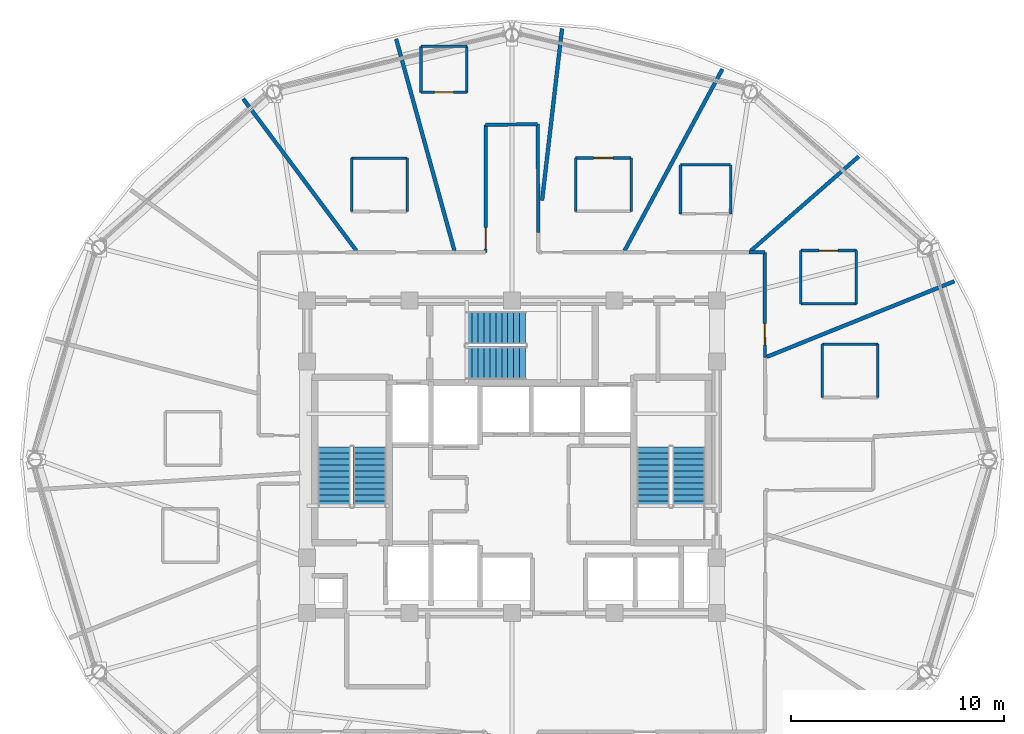
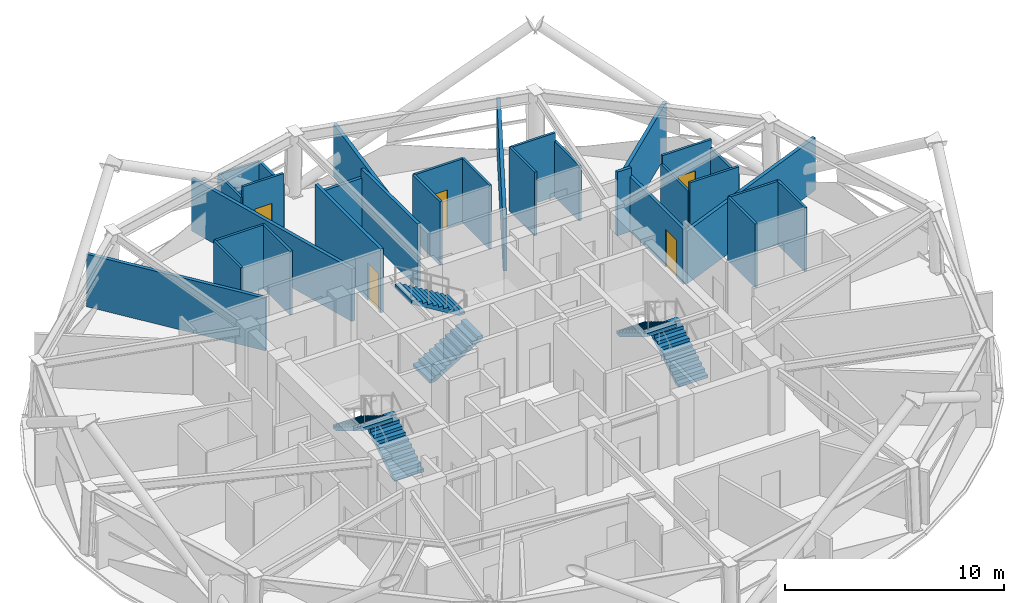
# One storey, part 10 of 14: 31 walls, 6 stair flights, 5 doors, 5 openings, 3 elements without a shape of their own.
"""IFC4 building model written with IfcOpenShell, lengths in metres."""

import ifcopenshell
import ifcopenshell.guid

model = None  # the IFC model being written
_history = None  # IfcOwnerHistory: only IFC2X3 demands one
_inside = {}  # id of a spatial element -> (the spatial element, [elements in it])
_under = {}  # id of a project, library or spatial element -> (it, [spatial elements below it])
_declared = {}  # id of a project -> (the project, [libraries it declares])
_typed = {}  # id of a type object -> (the type object, [elements of that type])
_made_of = {}  # id of a material, layer set ... -> (it, [elements and type objects made of it])


def new_model(schema):
    """Start an empty IFC model of exactly this schema.

    Asked for "IFC4X3", IfcOpenShell would pick the latest addendum, in which some entities
    have other attributes; the version numbers below select the first issue.
    IFC2X3 requires an IfcOwnerHistory on every rooted entity: one is made here for all.
    """
    global model, _history
    if schema == "IFC4X3":
        model = ifcopenshell.file(schema_version=(4, 3, 0, 0))
    else:
        model = ifcopenshell.file(schema=schema)
    _inside.clear()
    _under.clear()
    _declared.clear()
    _typed.clear()
    _made_of.clear()
    _history = None
    if model.schema == "IFC2X3":
        org = make("IfcOrganization", Name="unknown")
        user = make(
            "IfcPersonAndOrganization",
            ThePerson=make("IfcPerson", FamilyName="unknown"),
            TheOrganization=org,
        )
        app = make(
            "IfcApplication",
            ApplicationDeveloper=org,
            Version="unknown",
            ApplicationFullName="unknown",
            ApplicationIdentifier="unknown",
        )
        _history = make(
            "IfcOwnerHistory",
            OwningUser=user,
            OwningApplication=app,
            ChangeAction="ADDED",
            CreationDate=0,
        )
    return model


def make(cls, **values):
    """One entity of the class cls with the attributes given. An attribute that is None is left unset."""
    return model.create_entity(
        cls, **{name: value for name, value in values.items() if value is not None}
    )


def rooted(cls, **values):
    """An entity with a GlobalId (a new one), such as an element, a storey or a relation."""
    return make(cls, GlobalId=ifcopenshell.guid.new(), OwnerHistory=_history, **values)


def si_unit(unit_type, name, prefix=None):
    """IfcSIUnit, for example si_unit("LENGTHUNIT", "METRE", prefix="MILLI")."""
    return make("IfcSIUnit", UnitType=unit_type, Prefix=prefix, Name=name)


def assignment(units):
    """IfcUnitAssignment: the units of a project."""
    return None if units is None else make("IfcUnitAssignment", Units=units)


def point(xyz):
    """IfcCartesianPoint."""
    return None if xyz is None else make("IfcCartesianPoint", Coordinates=xyz)


def direction(xyz):
    """IfcDirection."""
    return None if xyz is None else make("IfcDirection", DirectionRatios=xyz)


def frame(location, z_axis=None, x_axis=None):
    """IfcAxis2Placement3D, a coordinate frame: its origin and axes. An axis left out is left unset."""
    return make(
        "IfcAxis2Placement3D",
        Location=point(location),
        Axis=direction(z_axis),
        RefDirection=direction(x_axis),
    )


def frame_2d(location, x_axis=None):
    """IfcAxis2Placement2D, a coordinate frame in the plane: its origin and x axis."""
    return make(
        "IfcAxis2Placement2D", Location=point(location), RefDirection=direction(x_axis)
    )


def origin():
    """The frame at (0, 0, 0) with its axes left unset."""
    return frame((0.0, 0.0, 0.0))


def place(relative_to, where):
    """IfcLocalPlacement: puts the frame where relative to a parent placement (None: the world)."""
    return make(
        "IfcLocalPlacement", PlacementRelTo=relative_to, RelativePlacement=where
    )


def context(
    kind, dimensions, precision=None, world=None, true_north=None, identifier=None
):
    """IfcGeometricRepresentationContext, for example the 3D "Model" context."""
    return make(
        "IfcGeometricRepresentationContext",
        ContextIdentifier=identifier,
        ContextType=kind,
        CoordinateSpaceDimension=dimensions,
        Precision=precision,
        WorldCoordinateSystem=world,
        TrueNorth=true_north,
    )


def subcontext(parent, identifier, kind, view, scale=None):
    """IfcGeometricRepresentationSubContext, for example "Body" below "Model"."""
    return make(
        "IfcGeometricRepresentationSubContext",
        ContextIdentifier=identifier,
        ContextType=kind,
        ParentContext=parent,
        TargetScale=scale,
        TargetView=view,
    )


def project(units=None, contexts=None):
    """IfcProject with its units and contexts."""
    return rooted(
        "IfcProject",
        Name="project",
        RepresentationContexts=contexts,
        UnitsInContext=assignment(units),
    )


def spatial(cls, under=None, at=None, **own):
    """A site, building, storey or space (cls), placed at a placement, below another one or the project."""
    s = rooted(cls, ObjectPlacement=at, **own)
    if under is not None:
        _under.setdefault(under.id(), (under, []))[1].append(s)
    return s


def polyline(points):
    """IfcPolyline through the points."""
    return make("IfcPolyline", Points=[point(p) for p in points])


def profile(cls, at=None, kind="AREA", **sizes):
    """A parametric profile (cls). Its sizes go by their IFC names, for example OverallWidth=200.0."""
    return make(cls, ProfileType=kind, Position=at, **sizes)


def rectangle(**sizes):
    """IfcRectangleProfileDef."""
    return profile("IfcRectangleProfileDef", **sizes)


def outline(outer, holes=None, kind="AREA"):
    """IfcArbitraryClosedProfileDef: a profile drawn as a closed curve; with holes, ...WithVoids."""
    if holes is None:
        return make("IfcArbitraryClosedProfileDef", ProfileType=kind, OuterCurve=outer)
    return make(
        "IfcArbitraryProfileDefWithVoids",
        ProfileType=kind,
        OuterCurve=outer,
        InnerCurves=holes,
    )


def extrude(swept, where, along, depth):
    """IfcExtrudedAreaSolid: the profile swept, set in the frame where, extruded along a direction by depth."""
    return make(
        "IfcExtrudedAreaSolid",
        SweptArea=swept,
        Position=where,
        ExtrudedDirection=direction(along),
        Depth=depth,
    )


def shape(context_of_items, identifier, shape_type, items):
    """IfcShapeRepresentation: the items that make up one representation, for example the "Body"."""
    return make(
        "IfcShapeRepresentation",
        ContextOfItems=context_of_items,
        RepresentationIdentifier=identifier,
        RepresentationType=shape_type,
        Items=items,
    )


def material(Name=None, Category=None):
    """IfcMaterial."""
    return make("IfcMaterial", Name=Name, Category=Category)


def layer(
    of_material, thickness, ventilated=None, Name=None, Category=None, Priority=None
):
    """IfcMaterialLayer: one layer of a wall or slab, of a material (None: an air gap)."""
    return make(
        "IfcMaterialLayer",
        Material=of_material,
        LayerThickness=thickness,
        IsVentilated=ventilated,
        Name=Name,
        Category=Category,
        Priority=Priority,
    )


def layer_set(layers, Name=None):
    """IfcMaterialLayerSet."""
    return make("IfcMaterialLayerSet", MaterialLayers=layers, LayerSetName=Name)


def made_of(thing, what):
    """Note that an element or type object is made of a material, layer set ...; save() writes the relation."""
    if what is not None:
        _made_of.setdefault(what.id(), (what, []))[1].append(thing)
    return thing


def type_object(cls, material=None, **own):
    """A type object (cls), such as IfcWallType, which elements share."""
    return made_of(rooted(cls, **own), material)


def element(
    cls,
    number,
    at=None,
    inside=None,
    cuts=None,
    type_object=None,
    material=None,
    context=None,
    identifier="Body",
    shape_type=None,
    held_by="IfcProductDefinitionShape",
    body=None,
    shapes=None,
    **own,
):
    """One element of the class cls, such as IfcWall. Its Tag is "e" and its number.

    at: its placement. inside: the storey or other place that contains it. cuts: it is an
    opening in that element (IfcRelVoidsElement). A single representation is given by context,
    identifier, shape_type and body (its items); several are given by shapes. held_by: the class
    of the entity that holds the representations. save() writes the other relations.
    """
    e = rooted(cls, Tag="e%d" % number, ObjectPlacement=at, **own)
    if body is not None:
        shapes = [shape(context, identifier, shape_type, body)]
    if shapes is not None:
        e.Representation = make(held_by, Representations=shapes)
    if inside is not None:
        _inside.setdefault(inside.id(), (inside, []))[1].append(e)
    if cuts is not None:
        rooted(
            "IfcRelVoidsElement", RelatingBuildingElement=cuts, RelatedOpeningElement=e
        )
    if type_object is not None:
        _typed.setdefault(type_object.id(), (type_object, []))[1].append(e)
    return made_of(e, material)


def fill(opening, filler):
    """IfcRelFillsElement: the door or window that sits in an opening."""
    return rooted(
        "IfcRelFillsElement",
        RelatingOpeningElement=opening,
        RelatedBuildingElement=filler,
    )


def aggregate(whole, parts):
    """IfcRelAggregates: a whole, such as a stair, and the parts it consists of."""
    return rooted("IfcRelAggregates", RelatingObject=whole, RelatedObjects=parts)


def save(model, path):
    """Write the relations noted so far, then the file.

    IfcRelAggregates (storeys below a building ...), IfcRelContainedInSpatialStructure (elements
    in a storey), IfcRelDefinesByType, IfcRelAssociatesMaterial and IfcRelDeclares: one each for
    every whole, place, type object, material and project.
    """
    for whole, parts in _under.values():
        aggregate(whole, parts)
    for where, things in _inside.values():
        rooted(
            "IfcRelContainedInSpatialStructure",
            RelatedElements=things,
            RelatingStructure=where,
        )
    for kind, things in _typed.values():
        rooted("IfcRelDefinesByType", RelatedObjects=things, RelatingType=kind)
    for what, things in _made_of.values():
        rooted("IfcRelAssociatesMaterial", RelatedObjects=things, RelatingMaterial=what)
    for by, libraries in _declared.values():
        rooted("IfcRelDeclares", RelatingContext=by, RelatedDefinitions=libraries)
    model.write(path)


model = new_model("IFC4")

# Units and contexts
model_context = context("Model", 3, precision=1e-05, world=origin(), true_north=direction((0.0, 1.0)))
body_context = subcontext(model_context, "Body", "Model", "MODEL_VIEW")
ifc_project = project(units=[si_unit("LENGTHUNIT", "METRE"), si_unit("AREAUNIT", "SQUARE_METRE"), si_unit("VOLUMEUNIT", "CUBIC_METRE"), si_unit("PLANEANGLEUNIT", "RADIAN"), si_unit("MASSUNIT", "GRAM", prefix="KILO")], contexts=[model_context])

# Site, building, storey
site_placement = place(None, origin())
site = spatial("IfcSite", under=ifc_project, at=site_placement, CompositionType="ELEMENT")
building_placement = place(site_placement, origin())
building = spatial("IfcBuilding", under=site, at=building_placement, Name="Vantalir Tower", CompositionType="ELEMENT")
storey_placement = place(building_placement, frame((0.0, 0.0, 204.89990234375)))
storey = spatial("IfcBuildingStorey", under=building, at=storey_placement, Name="L51", CompositionType="ELEMENT", Elevation=204.89990234375)

# Walls
ifc_material_1 = material(Name="Moisture-resistant en-suite partition", Category="gypsum")
ifc_layer_1 = layer(ifc_material_1, 0.125)
ifc_layer_set_1 = layer_set([ifc_layer_1], Name="Moisture-resistant en-suite partition")
wall_type_1 = type_object("IfcWallType", Name="WL-BATH-125", PredefinedType="PARTITIONING", material=ifc_layer_set_1)
wall_1_placement = place(storey_placement, frame((46.047119140625, 30.406005859375, 0.0), z_axis=(0.0, 0.0, 1.0), x_axis=(1.0, 0.0, 0.0)))
element("IfcWall", 1, at=wall_1_placement, inside=storey, type_object=wall_type_1, Name="L51 En-suite 01 North Wall", PredefinedType="PARTITIONING", context=body_context, shape_type="SweptSolid", body=[
    extrude(rectangle(XDim=2.599853515625, YDim=0.125, at=frame_2d((1.2998046875, 0.0))), origin(), (0.0, 0.0, 1.0), 3.550048828125),
])
for number, where, z_axis, x_axis, name in (
    (2, (46.047119140625, 27.906005859375, 0.0), (0.0, 0.0, 1.0), (0.0, 1.0, 0.0), "L51 En-suite 01 West Wall"),
    (3, (48.64697265625, 27.906005859375, 0.0), (0.0, 0.0, 1.0), (0.0, 1.0, 0.0), "L51 En-suite 01 East Wall"),
):
    element("IfcWall", number, at=place(storey_placement, frame(where, z_axis=z_axis, x_axis=x_axis)), inside=storey, type_object=wall_type_1, Name=name, PredefinedType="PARTITIONING", context=body_context, shape_type="SweptSolid", body=[
        extrude(rectangle(XDim=2.5, YDim=0.125, at=frame_2d((1.25, 0.0))), origin(), (0.0, 0.0, 1.0), 3.550048828125),
    ])
wall_2_placement = place(storey_placement, frame((45.0390625, 32.294921875, 0.0), z_axis=(0.0, 0.0, 1.0), x_axis=(1.0, 0.0, 0.0)))
element("IfcWall", 4, at=wall_2_placement, inside=storey, type_object=wall_type_1, Name="L51 En-suite 02 South Wall", PredefinedType="PARTITIONING", context=body_context, shape_type="SweptSolid", body=[
    extrude(rectangle(XDim=2.599853515625, YDim=0.125, at=frame_2d((1.2998046875, 0.0))), origin(), (0.0, 0.0, 1.0), 3.550048828125),
])

# Wall, opening, door
wall_3_placement = place(storey_placement, frame((45.0390625, 34.794921875, 0.0), z_axis=(0.0, 0.0, 1.0), x_axis=(1.0, 0.0, 0.0)))
wall_3 = element("IfcWall", 5, at=wall_3_placement, inside=storey, type_object=wall_type_1, Name="L51 En-suite 02 North Wall", PredefinedType="PARTITIONING", context=body_context, shape_type="SweptSolid", body=[
    extrude(rectangle(XDim=2.599853515625, YDim=0.125, at=frame_2d((1.2998046875, 0.0))), origin(), (0.0, 0.0, 1.0), 3.550048828125),
])
opening_1_placement = place(wall_3_placement, frame((0.85009765625, 0.0, 0.0)))
opening_1 = element("IfcOpeningElement", 6, at=opening_1_placement, cuts=wall_3, Name="Opening D-WC", PredefinedType="OPENING", context=body_context, shape_type="SweptSolid", body=[
    extrude(rectangle(XDim=0.89990234375, YDim=2.10009765625, at=frame_2d((0.449951171875, 1.050048828125))), frame((0.0, 0.072509765625, 0.0), z_axis=(0.0, -1.0, 0.0), x_axis=(1.0, 0.0, 0.0)), (0.0, 0.0, 1.0), 0.14501953125),
])
ifc_material_2 = material(Name="Moisture-resistant hardwood door", Category="wood")
door_type_1 = type_object("IfcDoorType", Name="DR-ENSUITE-900", OperationType="NOTDEFINED", PredefinedType="DOOR", material=ifc_material_2)
door_1_placement = place(opening_1_placement, frame((0.89990234375, 0.0, 0.0), z_axis=(0.0, 0.0, 1.0), x_axis=(-1.0, 0.0, 0.0)))
door_1 = element("IfcDoor", 7, at=door_1_placement, inside=storey, type_object=door_type_1, Name="L51 En-suite 02 Door", OperationType="SINGLE_SWING_RIGHT", OverallHeight=2.10009765625, OverallWidth=0.89990234375, PredefinedType="DOOR", context=body_context, shape_type="SweptSolid", body=[
    extrude(rectangle(XDim=0.89990234375, YDim=2.10009765625, at=frame_2d((0.449951171875, 1.050048828125))), frame((0.0, 0.02490234375, 0.0), z_axis=(0.0, -1.0, 0.0), x_axis=(1.0, 0.0, 0.0)), (0.0, 0.0, 1.0), 0.050048828125),
])
fill(opening_1, door_1)

# Walls
for number, where, z_axis, x_axis, name in (
    (8, (45.0390625, 32.294921875, 0.0), (0.0, 0.0, 1.0), (0.0, 1.0, 0.0), "L51 En-suite 02 West Wall"),
    (9, (47.638916015625, 32.294921875, 0.0), (0.0, 0.0, 1.0), (0.0, 1.0, 0.0), "L51 En-suite 02 East Wall"),
):
    element("IfcWall", number, at=place(storey_placement, frame(where, z_axis=z_axis, x_axis=x_axis)), inside=storey, type_object=wall_type_1, Name=name, PredefinedType="PARTITIONING", context=body_context, shape_type="SweptSolid", body=[
        extrude(rectangle(XDim=2.5, YDim=0.125, at=frame_2d((1.25, 0.0))), origin(), (0.0, 0.0, 1.0), 3.0810546875),
    ])
wall_4_placement = place(storey_placement, frame((39.39404296875, 38.81591796875, 0.0), z_axis=(0.0, 0.0, 1.0), x_axis=(1.0, 0.0, 0.0)))
element("IfcWall", 10, at=wall_4_placement, inside=storey, type_object=wall_type_1, Name="L51 En-suite 03 North Wall", PredefinedType="PARTITIONING", context=body_context, shape_type="SweptSolid", body=[
    extrude(rectangle(XDim=2.349853515625, YDim=0.125, at=frame_2d((1.1748046875, 0.0))), origin(), (0.0, 0.0, 1.0), 3.550048828125),
])
wall_5_placement = place(storey_placement, frame((39.39404296875, 36.51611328125, 0.0), z_axis=(0.0, 0.0, 1.0), x_axis=(0.0, 1.0, 0.0)))
element("IfcWall", 11, at=wall_5_placement, inside=storey, type_object=wall_type_1, Name="L51 En-suite 03 West Wall", PredefinedType="PARTITIONING", context=body_context, shape_type="SweptSolid", body=[
    extrude(rectangle(XDim=2.2998046875, YDim=0.125, at=frame_2d((1.14990234375, 0.0))), origin(), (0.0, 0.0, 1.0), 3.550048828125),
])
wall_6_placement = place(storey_placement, frame((41.743896484375, 36.51611328125, 0.0), z_axis=(0.0, 0.0, 1.0), x_axis=(0.0, 1.0, 0.0)))
element("IfcWall", 12, at=wall_6_placement, inside=storey, type_object=wall_type_1, Name="L51 En-suite 03 East Wall", PredefinedType="PARTITIONING", context=body_context, shape_type="SweptSolid", body=[
    extrude(rectangle(XDim=2.2998046875, YDim=0.125, at=frame_2d((1.14990234375, 0.0))), origin(), (0.0, 0.0, 1.0), 3.0810546875),
])

# Wall, opening, door
wall_7_placement = place(storey_placement, frame((34.48095703125, 39.134033203125, 0.0), z_axis=(0.0, 0.0, 1.0), x_axis=(1.0, 0.0, 0.0)))
wall_7 = element("IfcWall", 13, at=wall_7_placement, inside=storey, type_object=wall_type_1, Name="L51 En-suite 04 North Wall", PredefinedType="PARTITIONING", context=body_context, shape_type="SweptSolid", body=[
    extrude(rectangle(XDim=2.60009765625, YDim=0.125, at=frame_2d((1.300048828125, 0.0))), origin(), (0.0, 0.0, 1.0), 3.550048828125),
])
opening_2_placement = place(wall_7_placement, frame((0.85009765625, 0.0, 0.0)))
opening_2 = element("IfcOpeningElement", 14, at=opening_2_placement, cuts=wall_7, Name="Opening D-WC", PredefinedType="OPENING", context=body_context, shape_type="SweptSolid", body=[
    extrude(rectangle(XDim=0.89990234375, YDim=2.10009765625, at=frame_2d((0.449951171875, 1.050048828125))), frame((0.0, 0.072509765625, 0.0), z_axis=(0.0, -1.0, 0.0), x_axis=(1.0, 0.0, 0.0)), (0.0, 0.0, 1.0), 0.14501953125),
])
door_2_placement = place(opening_2_placement, frame((0.89990234375, 0.0, 0.0), z_axis=(0.0, 0.0, 1.0), x_axis=(-1.0, 0.0, 0.0)))
door_2 = element("IfcDoor", 15, at=door_2_placement, inside=storey, type_object=door_type_1, Name="L51 En-suite 04 Door", OperationType="SINGLE_SWING_RIGHT", OverallHeight=2.10009765625, OverallWidth=0.89990234375, PredefinedType="DOOR", context=body_context, shape_type="SweptSolid", body=[
    extrude(rectangle(XDim=0.89990234375, YDim=2.10009765625, at=frame_2d((0.449951171875, 1.050048828125))), frame((0.0, 0.02490234375, 0.0), z_axis=(0.0, -1.0, 0.0), x_axis=(1.0, 0.0, 0.0)), (0.0, 0.0, 1.0), 0.050048828125),
])
fill(opening_2, door_2)

# Walls
for number, where, z_axis, x_axis, name in (
    (16, (34.48095703125, 36.634033203125, 0.0), (0.0, 0.0, 1.0), (0.0, 1.0, 0.0), "L51 En-suite 04 West Wall"),
    (17, (37.0810546875, 36.634033203125, 0.0), (0.0, 0.0, 1.0), (0.0, 1.0, 0.0), "L51 En-suite 04 East Wall"),
):
    element("IfcWall", number, at=place(storey_placement, frame(where, z_axis=z_axis, x_axis=x_axis)), inside=storey, type_object=wall_type_1, Name=name, PredefinedType="PARTITIONING", context=body_context, shape_type="SweptSolid", body=[
        extrude(rectangle(XDim=2.5, YDim=0.125, at=frame_2d((1.25, 0.0))), origin(), (0.0, 0.0, 1.0), 3.550048828125),
    ])

# Wall, opening, door
wall_8_placement = place(storey_placement, frame((27.23291015625, 42.214111328125, 0.0), z_axis=(0.0, 0.0, 1.0), x_axis=(1.0, 0.0, 0.0)))
wall_8 = element("IfcWall", 18, at=wall_8_placement, inside=storey, type_object=wall_type_1, Name="L51 En-suite 05 South Wall", PredefinedType="PARTITIONING", context=body_context, shape_type="SweptSolid", body=[
    extrude(rectangle(XDim=2.150146484375, YDim=0.125, at=frame_2d((1.0751953125, 0.0))), origin(), (0.0, 0.0, 1.0), 3.550048828125),
])
opening_3_placement = place(wall_8_placement, frame((0.625, 0.0, 0.0)))
opening_3 = element("IfcOpeningElement", 19, at=opening_3_placement, cuts=wall_8, Name="Opening D-WC", PredefinedType="OPENING", context=body_context, shape_type="SweptSolid", body=[
    extrude(rectangle(XDim=0.89990234375, YDim=2.10009765625, at=frame_2d((0.449951171875, 1.050048828125))), frame((0.0, 0.072509765625, 0.0), z_axis=(0.0, -1.0, 0.0), x_axis=(1.0, 0.0, 0.0)), (0.0, 0.0, 1.0), 0.14501953125),
])
door_3_placement = place(opening_3_placement, origin())
door_3 = element("IfcDoor", 20, at=door_3_placement, inside=storey, type_object=door_type_1, Name="L51 En-suite 05 Door", OperationType="SINGLE_SWING_LEFT", OverallHeight=2.10009765625, OverallWidth=0.89990234375, PredefinedType="DOOR", context=body_context, shape_type="SweptSolid", body=[
    extrude(rectangle(XDim=0.89990234375, YDim=2.10009765625, at=frame_2d((0.449951171875, 1.050048828125))), frame((0.0, 0.02490234375, 0.0), z_axis=(0.0, -1.0, 0.0), x_axis=(1.0, 0.0, 0.0)), (0.0, 0.0, 1.0), 0.050048828125),
])
fill(opening_3, door_3)

# Walls
wall_9_placement = place(storey_placement, frame((27.23291015625, 44.364013671875, 0.0), z_axis=(0.0, 0.0, 1.0), x_axis=(1.0, 0.0, 0.0)))
element("IfcWall", 21, at=wall_9_placement, inside=storey, type_object=wall_type_1, Name="L51 En-suite 05 North Wall", PredefinedType="PARTITIONING", context=body_context, shape_type="SweptSolid", body=[
    extrude(rectangle(XDim=2.150146484375, YDim=0.125, at=frame_2d((1.0751953125, 0.0))), origin(), (0.0, 0.0, 1.0), 2.925048828125),
])
for number, where, z_axis, x_axis, name in (
    (22, (27.23291015625, 42.214111328125, 0.0), (0.0, 0.0, 1.0), (0.0, 1.0, 0.0), "L51 En-suite 05 West Wall"),
    (23, (29.383056640625, 42.214111328125, 0.0), (0.0, 0.0, 1.0), (0.0, 1.0, 0.0), "L51 En-suite 05 East Wall"),
):
    element("IfcWall", number, at=place(storey_placement, frame(where, z_axis=z_axis, x_axis=x_axis)), inside=storey, type_object=wall_type_1, Name=name, PredefinedType="PARTITIONING", context=body_context, shape_type="SweptSolid", body=[
        extrude(rectangle(XDim=2.14990234375, YDim=0.125, at=frame_2d((1.074951171875, 0.0))), origin(), (0.0, 0.0, 1.0), 2.925048828125),
    ])
wall_10_placement = place(storey_placement, frame((23.98388671875, 39.1259765625, 0.0), z_axis=(0.0, 0.0, 1.0), x_axis=(1.0, 0.0, 0.0)))
element("IfcWall", 24, at=wall_10_placement, inside=storey, type_object=wall_type_1, Name="L51 En-suite 06 North Wall", PredefinedType="PARTITIONING", context=body_context, shape_type="SweptSolid", body=[
    extrude(rectangle(XDim=2.60009765625, YDim=0.125, at=frame_2d((1.300048828125, 0.0))), origin(), (0.0, 0.0, 1.0), 3.550048828125),
])
for number, where, z_axis, x_axis, name in (
    (25, (23.98388671875, 36.6259765625, 0.0), (0.0, 0.0, 1.0), (0.0, 1.0, 0.0), "L51 En-suite 06 West Wall"),
    (26, (26.583984375, 36.6259765625, 0.0), (0.0, 0.0, 1.0), (0.0, 1.0, 0.0), "L51 En-suite 06 East Wall"),
):
    element("IfcWall", number, at=place(storey_placement, frame(where, z_axis=z_axis, x_axis=x_axis)), inside=storey, type_object=wall_type_1, Name=name, PredefinedType="PARTITIONING", context=body_context, shape_type="SweptSolid", body=[
        extrude(rectangle(XDim=2.5, YDim=0.125, at=frame_2d((1.25, 0.0))), origin(), (0.0, 0.0, 1.0), 3.550048828125),
    ])

# Wall, opening, door
ifc_material_3 = material(Name="Fire-rated hotel corridor acoustic partition", Category="gypsum")
ifc_layer_2 = layer(ifc_material_3, 0.159912109375)
ifc_layer_set_2 = layer_set([ifc_layer_2], Name="Fire-rated hotel corridor acoustic partition")
wall_type_2 = type_object("IfcWallType", Name="WL-CORR-160", PredefinedType="PARTITIONING", material=ifc_layer_set_2)
wall_11_placement = place(storey_placement, frame((30.260009765625, 34.715087890625, 0.0), z_axis=(0.0, 0.0, 1.0), x_axis=(0.00049033623, 0.999999879785, 0.0)))
wall_11 = element("IfcWall", 27, at=wall_11_placement, inside=storey, type_object=wall_type_2, Name="L51 Corridor Partition 08", PredefinedType="PARTITIONING", context=body_context, shape_type="SweptSolid", body=[
    extrude(rectangle(XDim=5.974853515625, YDim=0.159912109375, at=frame_2d((2.9873046875, 0.0))), origin(), (0.0, 0.0, 1.0), 3.550048828125),
])
opening_4_placement = place(wall_11_placement, frame((0.159912109375, 0.0, 0.0)))
opening_4 = element("IfcOpeningElement", 28, at=opening_4_placement, cuts=wall_11, Name="Opening D-GUEST", PredefinedType="OPENING", context=body_context, shape_type="SweptSolid", body=[
    extrude(rectangle(XDim=1.0, YDim=2.10009765625, at=frame_2d((0.5, 1.050048828125))), frame((0.0, 0.08984375, 0.0), z_axis=(0.0, -1.0, 0.0), x_axis=(1.0, 0.0, 0.0)), (0.0, 0.0, 1.0), 0.179931640625),
])
ifc_material_4 = material(Name="Solid-core teak veneer acoustic fire door", Category="wood")
door_type_2 = type_object("IfcDoorType", Name="DR-GUEST-ENTRY-1000", OperationType="NOTDEFINED", PredefinedType="DOOR", material=ifc_material_4)
door_4_placement = place(opening_4_placement, origin())
door_4 = element("IfcDoor", 29, at=door_4_placement, inside=storey, type_object=door_type_2, Name="L51 Twin Queen Hotel Room 05 Door", OperationType="SINGLE_SWING_LEFT", OverallHeight=2.10009765625, OverallWidth=1.0, PredefinedType="DOOR", context=body_context, shape_type="SweptSolid", body=[
    extrude(rectangle(XDim=1.0, YDim=2.10009765625, at=frame_2d((0.5, 1.050048828125))), frame((0.0, 0.02490234375, 0.0), z_axis=(0.0, -1.0, 0.0), x_axis=(1.0, 0.0, 0.0)), (0.0, 0.0, 1.0), 0.050048828125),
])
fill(opening_4, door_4)

# Walls
wall_12_placement = place(storey_placement, frame((30.262939453125, 40.68994140625, 0.0), z_axis=(0.0, 0.0, 1.0), x_axis=(0.999946948611, 0.010300483619, 0.0)))
element("IfcWall", 30, at=wall_12_placement, inside=storey, type_object=wall_type_2, Name="L51 Corridor Partition 09", PredefinedType="PARTITIONING", context=body_context, shape_type="SweptSolid", body=[
    extrude(rectangle(XDim=2.44140625, YDim=0.159912109375, at=frame_2d((1.220703125, 0.0))), origin(), (0.0, 0.0, 1.0), 3.0810546875),
])
wall_13_placement = place(storey_placement, frame((32.7041015625, 40.715087890625, 0.0), z_axis=(0.0, 0.0, 1.0), x_axis=(0.005858524122, -0.9999828387, 0.0)))
element("IfcWall", 31, at=wall_13_placement, inside=storey, type_object=wall_type_2, Name="L51 Corridor Partition 10", PredefinedType="PARTITIONING", context=body_context, shape_type="SweptSolid", body=[
    extrude(rectangle(XDim=5.083984375, YDim=0.159912109375, at=frame_2d((2.5419921875, 0.0))), origin(), (0.0, 0.0, 1.0), 3.550048828125),
])
wall_14_placement = place(storey_placement, frame((42.60595703125, 34.708984375, 0.0), z_axis=(0.0, 0.0, 1.0), x_axis=(0.999999131496, -0.001317956022, 0.0)))
element("IfcWall", 32, at=wall_14_placement, inside=storey, type_object=wall_type_2, Name="L51 Corridor Partition 14", PredefinedType="PARTITIONING", context=body_context, shape_type="SweptSolid", body=[
    extrude(rectangle(XDim=0.740966796875, YDim=0.159912109375, at=frame_2d((0.37060546875, 0.0))), origin(), (0.0, 0.0, 1.0), 3.550048828125),
])

# Wall, opening, door
wall_15_placement = place(storey_placement, frame((43.346923828125, 34.7080078125, 0.0), z_axis=(0.0, 0.0, 1.0), x_axis=(0.002030804669, -0.999997937914, 0.0)))
wall_15 = element("IfcWall", 33, at=wall_15_placement, inside=storey, type_object=wall_type_2, Name="L51 Corridor Partition 15", PredefinedType="PARTITIONING", context=body_context, shape_type="SweptSolid", body=[
    extrude(rectangle(XDim=4.928955078125, YDim=0.159912109375, at=frame_2d((2.46435546875, 0.0))), origin(), (0.0, 0.0, 1.0), 3.0810546875),
])
opening_5_placement = place(wall_15_placement, frame((3.3359375, 0.0, 0.0)))
opening_5 = element("IfcOpeningElement", 34, at=opening_5_placement, cuts=wall_15, Name="Opening D-GUEST", PredefinedType="OPENING", context=body_context, shape_type="SweptSolid", body=[
    extrude(rectangle(XDim=1.0, YDim=2.10009765625, at=frame_2d((0.5, 1.050048828125))), frame((0.0, 0.08984375, 0.0), z_axis=(0.0, -1.0, 0.0), x_axis=(1.0, 0.0, 0.0)), (0.0, 0.0, 1.0), 0.179931640625),
])
door_5_placement = place(opening_5_placement, origin())
door_5 = element("IfcDoor", 35, at=door_5_placement, inside=storey, type_object=door_type_2, Name="L51 Deluxe King Hotel Room 02 Door", OperationType="SINGLE_SWING_RIGHT", OverallHeight=2.10009765625, OverallWidth=1.0, PredefinedType="DOOR", context=body_context, shape_type="SweptSolid", body=[
    extrude(rectangle(XDim=1.0, YDim=2.10009765625, at=frame_2d((0.5, 1.050048828125))), frame((0.0, 0.02490234375, 0.0), z_axis=(0.0, -1.0, 0.0), x_axis=(1.0, 0.0, 0.0)), (0.0, 0.0, 1.0), 0.050048828125),
])
fill(opening_5, door_5)

# Walls
ifc_material_5 = material(Name="Twin-stud acoustic fire-rated gypsum partition", Category="gypsum")
ifc_layer_3 = layer(ifc_material_5, 0.179931640625)
ifc_layer_set_3 = layer_set([ifc_layer_3], Name="Twin-stud acoustic fire-rated gypsum partition")
wall_type_3 = type_object("IfcWallType", Name="WL-GUEST-180", PredefinedType="PARTITIONING", material=ifc_layer_set_3)
wall_16_placement = place(storey_placement, frame((43.43994140625, 29.81201171875, 0.0), z_axis=(0.0, 0.0, 1.0), x_axis=(0.927492765912, 0.373841101514, 0.0)))
element("IfcWall", 36, at=wall_16_placement, inside=storey, type_object=wall_type_3, Name="L51 Radial Suite Partition 02", PredefinedType="PARTITIONING", context=body_context, shape_type="SweptSolid", body=[
    extrude(rectangle(XDim=9.477294921875, YDim=0.179931640625, at=frame_2d((4.73876953125, 0.0))), origin(), (0.0, 0.0, 1.0), 2.925048828125),
])
wall_17_placement = place(storey_placement, frame((42.698974609375, 34.7900390625, 0.0), z_axis=(0.0, 0.0, 1.0), x_axis=(0.752863020058, 0.658177235271, 0.0)))
element("IfcWall", 37, at=wall_17_placement, inside=storey, type_object=wall_type_3, Name="L51 Radial Suite Partition 03", PredefinedType="PARTITIONING", context=body_context, shape_type="SweptSolid", body=[
    extrude(rectangle(XDim=6.70654296875, YDim=0.179931640625, at=frame_2d((3.353271484375, 0.0))), origin(), (0.0, 0.0, 1.0), 2.925048828125),
])
wall_18_placement = place(storey_placement, frame((36.77490234375, 34.7900390625, 0.0), z_axis=(0.0, 0.0, 1.0), x_axis=(0.474262596064, 0.880383433496, 0.0)))
element("IfcWall", 38, at=wall_18_placement, inside=storey, type_object=wall_type_3, Name="L51 Radial Suite Partition 04", PredefinedType="PARTITIONING", context=body_context, shape_type="SweptSolid", body=[
    extrude(rectangle(XDim=9.659423828125, YDim=0.179931640625, at=frame_2d((4.82958984375, 0.0))), origin(), (0.0, 0.0, 1.0), 2.925048828125),
])
wall_19_placement = place(storey_placement, frame((32.909912109375, 37.14306640625, 0.0), z_axis=(0.0, 0.0, 1.0), x_axis=(0.115397155706, 0.993319433241, 0.0)))
element("IfcWall", 39, at=wall_19_placement, inside=storey, type_object=wall_type_3, Name="L51 Radial Suite Partition 05", PredefinedType="PARTITIONING", context=body_context, shape_type="SweptSolid", body=[
    extrude(rectangle(XDim=8.10302734375, YDim=0.179931640625, at=frame_2d((4.051513671875, 0.0))), origin(), (0.0, 0.0, 1.0), 2.925048828125),
])
wall_20_placement = place(storey_placement, frame((28.802978515625, 34.7900390625, 0.0), z_axis=(0.0, 0.0, 1.0), x_axis=(-0.26547451645, 0.964117877189, 0.0)))
element("IfcWall", 40, at=wall_20_placement, inside=storey, type_object=wall_type_3, Name="L51 Radial Suite Partition 06", PredefinedType="PARTITIONING", context=body_context, shape_type="SweptSolid", body=[
    extrude(rectangle(XDim=10.29443359375, YDim=0.179931640625, at=frame_2d((5.147216796875, 0.0))), origin(), (0.0, 0.0, 1.0), 2.925048828125),
])
wall_21_placement = place(storey_placement, frame((24.2060546875, 34.7900390625, 0.0), z_axis=(0.0, 0.0, 1.0), x_axis=(-0.597492767544, 0.801874299833, 0.0)))
element("IfcWall", 41, at=wall_21_placement, inside=storey, type_object=wall_type_3, Name="L51 Radial Suite Partition 07", PredefinedType="PARTITIONING", context=body_context, shape_type="SweptSolid", body=[
    extrude(rectangle(XDim=8.87548828125, YDim=0.179931640625, at=frame_2d((4.437744140625, 0.0))), origin(), (0.0, 0.0, 1.0), 2.925048828125),
])

# Stair, stair flights
ifc_material_6 = material(Name="Concrete C40/50", Category="concrete")
stair_type = type_object("IfcStairType", Name="STR-CORE-1450", PredefinedType="HALF_TURN_STAIR", material=ifc_material_6)
stair_1_placement = place(storey_placement, origin())
stair_1 = element("IfcStair", 42, at=stair_1_placement, inside=storey, type_object=stair_type, Name="L51 Core Exit Stair 1", PredefinedType="HALF_TURN_STAIR")
stair_flight_type = type_object("IfcStairFlightType", Name="FLT-CORE-1450", PredefinedType="STRAIGHT", material=ifc_material_6)
stair_flight_1_placement = place(storey_placement, frame((24.830078125, 22.7900390625, 0.0), z_axis=(0.0, 0.0, 1.0), x_axis=(0.0, 1.0, 0.0)))
stair_flight_1 = element("IfcStairFlight", 43, at=stair_flight_1_placement, type_object=stair_flight_type, Name="ST1 flight 1", NumberOfRisers=11, NumberOfTreads=10, PredefinedType="STRAIGHT", RiserHeight=0.170454545, TreadLength=0.28, context=body_context, shape_type="SweptSolid", body=[
    extrude(outline(polyline([(0.0, 0.0), (0.0, 0.17041015625), (0.280029296875, 0.17041015625), (0.280029296875, 0.3408203125), (0.56005859375, 0.3408203125), (0.56005859375, 0.511474609375), (0.840087890625, 0.511474609375), (0.840087890625, 0.681884765625), (1.1201171875, 0.681884765625), (1.1201171875, 0.852294921875), (1.39990234375, 0.852294921875), (1.39990234375, 1.022705078125), (1.679931640625, 1.022705078125), (1.679931640625, 1.193115234375), (1.9599609375, 1.193115234375), (1.9599609375, 1.363525390625), (2.239990234375, 1.363525390625), (2.239990234375, 1.5341796875), (2.52001953125, 1.5341796875), (2.52001953125, 1.70458984375), (2.800048828125, 1.70458984375), (2.800048828125, 1.875), (2.800048828125, 1.529052734375), (0.288330078125, 0.0), (0.0, 0.0)])), frame((0.0, 0.77001953125, 0.0), z_axis=(0.0, -1.0, 0.0), x_axis=(1.0, 0.0, 0.0)), (0.0, 0.0, 1.0), 1.5400390625),
])
stair_flight_2_placement = place(storey_placement, frame((23.169921875, 25.590087890625, 1.875), z_axis=(0.0, 0.0, 1.0), x_axis=(0.0, -1.0, 0.0)))
stair_flight_2 = element("IfcStairFlight", 44, at=stair_flight_2_placement, type_object=stair_flight_type, Name="ST1 flight 2", NumberOfRisers=11, NumberOfTreads=10, PredefinedType="STRAIGHT", RiserHeight=0.170454545, TreadLength=0.28, context=body_context, shape_type="SweptSolid", body=[
    extrude(outline(polyline([(0.0, 0.0), (0.0, 0.17041015625), (0.280029296875, 0.17041015625), (0.280029296875, 0.3408203125), (0.56005859375, 0.3408203125), (0.56005859375, 0.511474609375), (0.840087890625, 0.511474609375), (0.840087890625, 0.681884765625), (1.1201171875, 0.681884765625), (1.1201171875, 0.852294921875), (1.39990234375, 0.852294921875), (1.39990234375, 1.022705078125), (1.679931640625, 1.022705078125), (1.679931640625, 1.193115234375), (1.9599609375, 1.193115234375), (1.9599609375, 1.363525390625), (2.239990234375, 1.363525390625), (2.239990234375, 1.5341796875), (2.52001953125, 1.5341796875), (2.52001953125, 1.70458984375), (2.800048828125, 1.70458984375), (2.800048828125, 1.875), (2.800048828125, 1.529052734375), (0.288330078125, 0.0), (0.0, 0.0)])), frame((0.0, 0.77001953125, 0.0), z_axis=(0.0, -1.0, 0.0), x_axis=(1.0, 0.0, 0.0)), (0.0, 0.0, 1.0), 1.5400390625),
])
aggregate(stair_1, [stair_flight_1, stair_flight_2])

stair_2_placement = place(storey_placement, origin())
stair_2 = element("IfcStair", 45, at=stair_2_placement, inside=storey, type_object=stair_type, Name="L51 Core Exit Stair 2", PredefinedType="HALF_TURN_STAIR")
stair_flight_3_placement = place(storey_placement, frame((39.780029296875, 22.7900390625, 0.0), z_axis=(0.0, 0.0, 1.0), x_axis=(0.0, 1.0, 0.0)))
stair_flight_3 = element("IfcStairFlight", 46, at=stair_flight_3_placement, type_object=stair_flight_type, Name="ST2 flight 1", NumberOfRisers=11, NumberOfTreads=10, PredefinedType="STRAIGHT", RiserHeight=0.170454545, TreadLength=0.28, context=body_context, shape_type="SweptSolid", body=[
    extrude(outline(polyline([(0.0, 0.0), (0.0, 0.17041015625), (0.280029296875, 0.17041015625), (0.280029296875, 0.3408203125), (0.56005859375, 0.3408203125), (0.56005859375, 0.511474609375), (0.840087890625, 0.511474609375), (0.840087890625, 0.681884765625), (1.1201171875, 0.681884765625), (1.1201171875, 0.852294921875), (1.39990234375, 0.852294921875), (1.39990234375, 1.022705078125), (1.679931640625, 1.022705078125), (1.679931640625, 1.193115234375), (1.9599609375, 1.193115234375), (1.9599609375, 1.363525390625), (2.239990234375, 1.363525390625), (2.239990234375, 1.5341796875), (2.52001953125, 1.5341796875), (2.52001953125, 1.70458984375), (2.800048828125, 1.70458984375), (2.800048828125, 1.875), (2.800048828125, 1.529052734375), (0.288330078125, 0.0), (0.0, 0.0)])), frame((0.0, 0.77001953125, 0.0), z_axis=(0.0, -1.0, 0.0), x_axis=(1.0, 0.0, 0.0)), (0.0, 0.0, 1.0), 1.5400390625),
])
stair_flight_4_placement = place(storey_placement, frame((38.1201171875, 25.590087890625, 1.875), z_axis=(0.0, 0.0, 1.0), x_axis=(0.0, -1.0, 0.0)))
stair_flight_4 = element("IfcStairFlight", 47, at=stair_flight_4_placement, type_object=stair_flight_type, Name="ST2 flight 2", NumberOfRisers=11, NumberOfTreads=10, PredefinedType="STRAIGHT", RiserHeight=0.170454545, TreadLength=0.28, context=body_context, shape_type="SweptSolid", body=[
    extrude(outline(polyline([(0.0, 0.0), (0.0, 0.17041015625), (0.280029296875, 0.17041015625), (0.280029296875, 0.3408203125), (0.56005859375, 0.3408203125), (0.56005859375, 0.511474609375), (0.840087890625, 0.511474609375), (0.840087890625, 0.681884765625), (1.1201171875, 0.681884765625), (1.1201171875, 0.852294921875), (1.39990234375, 0.852294921875), (1.39990234375, 1.022705078125), (1.679931640625, 1.022705078125), (1.679931640625, 1.193115234375), (1.9599609375, 1.193115234375), (1.9599609375, 1.363525390625), (2.239990234375, 1.363525390625), (2.239990234375, 1.5341796875), (2.52001953125, 1.5341796875), (2.52001953125, 1.70458984375), (2.800048828125, 1.70458984375), (2.800048828125, 1.875), (2.800048828125, 1.529052734375), (0.288330078125, 0.0), (0.0, 0.0)])), frame((0.0, 0.77001953125, 0.0), z_axis=(0.0, -1.0, 0.0), x_axis=(1.0, 0.0, 0.0)), (0.0, 0.0, 1.0), 1.5400390625),
])
aggregate(stair_2, [stair_flight_3, stair_flight_4])

stair_3_placement = place(storey_placement, origin())
stair_3 = element("IfcStair", 48, at=stair_3_placement, inside=storey, type_object=stair_type, Name="L51 Core Exit Stair 3", PredefinedType="HALF_TURN_STAIR")
stair_flight_5_placement = place(storey_placement, frame((29.340087890625, 29.52001953125, 0.0), z_axis=(0.0, 0.0, 1.0), x_axis=(1.0, 0.0, 0.0)))
stair_flight_5 = element("IfcStairFlight", 49, at=stair_flight_5_placement, type_object=stair_flight_type, Name="ST3 flight 1", NumberOfRisers=11, NumberOfTreads=10, PredefinedType="STRAIGHT", RiserHeight=0.170454545, TreadLength=0.28, context=body_context, shape_type="SweptSolid", body=[
    extrude(outline(polyline([(0.0, 0.0), (0.0, 0.17041015625), (0.280029296875, 0.17041015625), (0.280029296875, 0.3408203125), (0.56005859375, 0.3408203125), (0.56005859375, 0.511474609375), (0.840087890625, 0.511474609375), (0.840087890625, 0.681884765625), (1.1201171875, 0.681884765625), (1.1201171875, 0.852294921875), (1.39990234375, 0.852294921875), (1.39990234375, 1.022705078125), (1.679931640625, 1.022705078125), (1.679931640625, 1.193115234375), (1.9599609375, 1.193115234375), (1.9599609375, 1.363525390625), (2.239990234375, 1.363525390625), (2.239990234375, 1.5341796875), (2.52001953125, 1.5341796875), (2.52001953125, 1.70458984375), (2.800048828125, 1.70458984375), (2.800048828125, 1.875), (2.800048828125, 1.529052734375), (0.288330078125, 0.0), (0.0, 0.0)])), frame((0.0, 0.77001953125, 0.0), z_axis=(0.0, -1.0, 0.0), x_axis=(1.0, 0.0, 0.0)), (0.0, 0.0, 1.0), 1.5400390625),
])
stair_flight_6_placement = place(storey_placement, frame((32.139892578125, 31.179931640625, 1.875), z_axis=(0.0, 0.0, 1.0), x_axis=(-1.0, 0.0, 0.0)))
stair_flight_6 = element("IfcStairFlight", 50, at=stair_flight_6_placement, type_object=stair_flight_type, Name="ST3 flight 2", NumberOfRisers=11, NumberOfTreads=10, PredefinedType="STRAIGHT", RiserHeight=0.170454545, TreadLength=0.28, context=body_context, shape_type="SweptSolid", body=[
    extrude(outline(polyline([(0.0, 0.0), (0.0, 0.17041015625), (0.280029296875, 0.17041015625), (0.280029296875, 0.3408203125), (0.56005859375, 0.3408203125), (0.56005859375, 0.511474609375), (0.840087890625, 0.511474609375), (0.840087890625, 0.681884765625), (1.1201171875, 0.681884765625), (1.1201171875, 0.852294921875), (1.39990234375, 0.852294921875), (1.39990234375, 1.022705078125), (1.679931640625, 1.022705078125), (1.679931640625, 1.193115234375), (1.9599609375, 1.193115234375), (1.9599609375, 1.363525390625), (2.239990234375, 1.363525390625), (2.239990234375, 1.5341796875), (2.52001953125, 1.5341796875), (2.52001953125, 1.70458984375), (2.800048828125, 1.70458984375), (2.800048828125, 1.875), (2.800048828125, 1.529052734375), (0.288330078125, 0.0), (0.0, 0.0)])), frame((0.0, 0.77001953125, 0.0), z_axis=(0.0, -1.0, 0.0), x_axis=(1.0, 0.0, 0.0)), (0.0, 0.0, 1.0), 1.5400390625),
])
aggregate(stair_3, [stair_flight_5, stair_flight_6])

save(model, "model.ifc")
